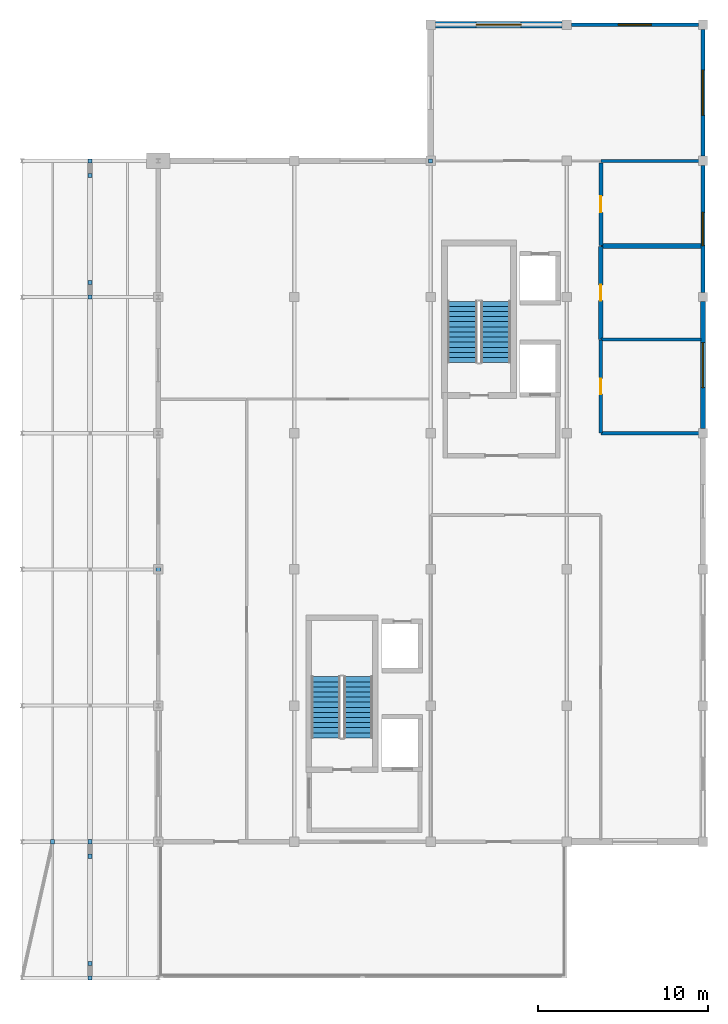
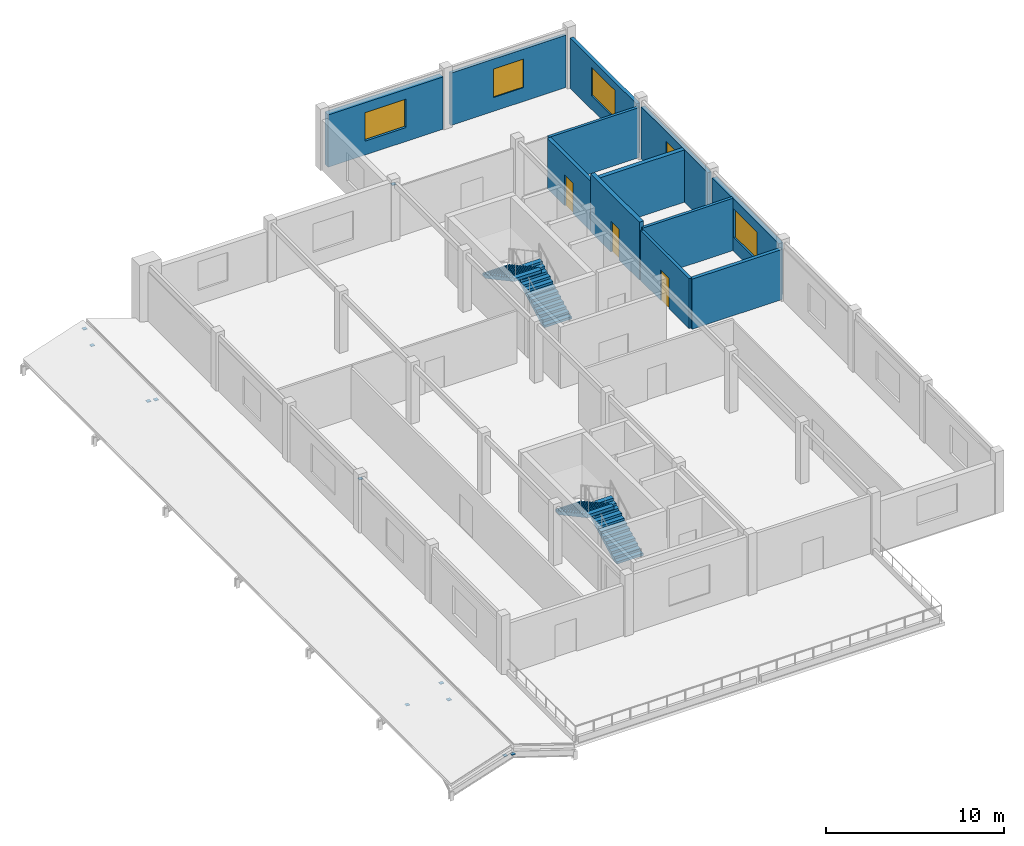
# One storey, part 6 of 9: 12 walls, 11 discrete accessories, 5 windows, 4 stair flights, 3 doors, 8 openings, 2 elements without a shape of their own.
"""IFC4 building model written with IfcOpenShell, lengths in metres."""

import ifcopenshell
import ifcopenshell.guid

model = None  # the IFC model being written
_history = None  # IfcOwnerHistory: only IFC2X3 demands one
_inside = {}  # id of a spatial element -> (the spatial element, [elements in it])
_under = {}  # id of a project, library or spatial element -> (it, [spatial elements below it])
_declared = {}  # id of a project -> (the project, [libraries it declares])
_typed = {}  # id of a type object -> (the type object, [elements of that type])
_made_of = {}  # id of a material, layer set ... -> (it, [elements and type objects made of it])


def new_model(schema):
    """Start an empty IFC model of exactly this schema.

    Asked for "IFC4X3", IfcOpenShell would pick the latest addendum, in which some entities
    have other attributes; the version numbers below select the first issue.
    IFC2X3 requires an IfcOwnerHistory on every rooted entity: one is made here for all.
    """
    global model, _history
    if schema == "IFC4X3":
        model = ifcopenshell.file(schema_version=(4, 3, 0, 0))
    else:
        model = ifcopenshell.file(schema=schema)
    _inside.clear()
    _under.clear()
    _declared.clear()
    _typed.clear()
    _made_of.clear()
    _history = None
    if model.schema == "IFC2X3":
        org = make("IfcOrganization", Name="unknown")
        user = make(
            "IfcPersonAndOrganization",
            ThePerson=make("IfcPerson", FamilyName="unknown"),
            TheOrganization=org,
        )
        app = make(
            "IfcApplication",
            ApplicationDeveloper=org,
            Version="unknown",
            ApplicationFullName="unknown",
            ApplicationIdentifier="unknown",
        )
        _history = make(
            "IfcOwnerHistory",
            OwningUser=user,
            OwningApplication=app,
            ChangeAction="ADDED",
            CreationDate=0,
        )
    return model


def make(cls, **values):
    """One entity of the class cls with the attributes given. An attribute that is None is left unset."""
    return model.create_entity(
        cls, **{name: value for name, value in values.items() if value is not None}
    )


def rooted(cls, **values):
    """An entity with a GlobalId (a new one), such as an element, a storey or a relation."""
    return make(cls, GlobalId=ifcopenshell.guid.new(), OwnerHistory=_history, **values)


def si_unit(unit_type, name, prefix=None):
    """IfcSIUnit, for example si_unit("LENGTHUNIT", "METRE", prefix="MILLI")."""
    return make("IfcSIUnit", UnitType=unit_type, Prefix=prefix, Name=name)


def assignment(units):
    """IfcUnitAssignment: the units of a project."""
    return None if units is None else make("IfcUnitAssignment", Units=units)


def point(xyz):
    """IfcCartesianPoint."""
    return None if xyz is None else make("IfcCartesianPoint", Coordinates=xyz)


def direction(xyz):
    """IfcDirection."""
    return None if xyz is None else make("IfcDirection", DirectionRatios=xyz)


def frame(location, z_axis=None, x_axis=None):
    """IfcAxis2Placement3D, a coordinate frame: its origin and axes. An axis left out is left unset."""
    return make(
        "IfcAxis2Placement3D",
        Location=point(location),
        Axis=direction(z_axis),
        RefDirection=direction(x_axis),
    )


def frame_2d(location, x_axis=None):
    """IfcAxis2Placement2D, a coordinate frame in the plane: its origin and x axis."""
    return make(
        "IfcAxis2Placement2D", Location=point(location), RefDirection=direction(x_axis)
    )


def origin():
    """The frame at (0, 0, 0) with its axes left unset."""
    return frame((0.0, 0.0, 0.0))


def origin_2d():
    """The frame at (0, 0) in the plane with its x axis left unset."""
    return frame_2d((0.0, 0.0))


def place(relative_to, where):
    """IfcLocalPlacement: puts the frame where relative to a parent placement (None: the world)."""
    return make(
        "IfcLocalPlacement", PlacementRelTo=relative_to, RelativePlacement=where
    )


def context(
    kind, dimensions, precision=None, world=None, true_north=None, identifier=None
):
    """IfcGeometricRepresentationContext, for example the 3D "Model" context."""
    return make(
        "IfcGeometricRepresentationContext",
        ContextIdentifier=identifier,
        ContextType=kind,
        CoordinateSpaceDimension=dimensions,
        Precision=precision,
        WorldCoordinateSystem=world,
        TrueNorth=true_north,
    )


def subcontext(parent, identifier, kind, view, scale=None):
    """IfcGeometricRepresentationSubContext, for example "Body" below "Model"."""
    return make(
        "IfcGeometricRepresentationSubContext",
        ContextIdentifier=identifier,
        ContextType=kind,
        ParentContext=parent,
        TargetScale=scale,
        TargetView=view,
    )


def project(units=None, contexts=None):
    """IfcProject with its units and contexts."""
    return rooted(
        "IfcProject",
        Name="project",
        RepresentationContexts=contexts,
        UnitsInContext=assignment(units),
    )


def spatial(cls, under=None, at=None, **own):
    """A site, building, storey or space (cls), placed at a placement, below another one or the project."""
    s = rooted(cls, ObjectPlacement=at, **own)
    if under is not None:
        _under.setdefault(under.id(), (under, []))[1].append(s)
    return s


def polyline(points):
    """IfcPolyline through the points."""
    return make("IfcPolyline", Points=[point(p) for p in points])


def profile(cls, at=None, kind="AREA", **sizes):
    """A parametric profile (cls). Its sizes go by their IFC names, for example OverallWidth=200.0."""
    return make(cls, ProfileType=kind, Position=at, **sizes)


def rectangle(**sizes):
    """IfcRectangleProfileDef."""
    return profile("IfcRectangleProfileDef", **sizes)


def outline(outer, holes=None, kind="AREA"):
    """IfcArbitraryClosedProfileDef: a profile drawn as a closed curve; with holes, ...WithVoids."""
    if holes is None:
        return make("IfcArbitraryClosedProfileDef", ProfileType=kind, OuterCurve=outer)
    return make(
        "IfcArbitraryProfileDefWithVoids",
        ProfileType=kind,
        OuterCurve=outer,
        InnerCurves=holes,
    )


def extrude(swept, where, along, depth):
    """IfcExtrudedAreaSolid: the profile swept, set in the frame where, extruded along a direction by depth."""
    return make(
        "IfcExtrudedAreaSolid",
        SweptArea=swept,
        Position=where,
        ExtrudedDirection=direction(along),
        Depth=depth,
    )


def shape(context_of_items, identifier, shape_type, items):
    """IfcShapeRepresentation: the items that make up one representation, for example the "Body"."""
    return make(
        "IfcShapeRepresentation",
        ContextOfItems=context_of_items,
        RepresentationIdentifier=identifier,
        RepresentationType=shape_type,
        Items=items,
    )


def material(Name=None, Category=None):
    """IfcMaterial."""
    return make("IfcMaterial", Name=Name, Category=Category)


def layer(
    of_material, thickness, ventilated=None, Name=None, Category=None, Priority=None
):
    """IfcMaterialLayer: one layer of a wall or slab, of a material (None: an air gap)."""
    return make(
        "IfcMaterialLayer",
        Material=of_material,
        LayerThickness=thickness,
        IsVentilated=ventilated,
        Name=Name,
        Category=Category,
        Priority=Priority,
    )


def layer_set(layers, Name=None):
    """IfcMaterialLayerSet."""
    return make("IfcMaterialLayerSet", MaterialLayers=layers, LayerSetName=Name)


def made_of(thing, what):
    """Note that an element or type object is made of a material, layer set ...; save() writes the relation."""
    if what is not None:
        _made_of.setdefault(what.id(), (what, []))[1].append(thing)
    return thing


def type_object(cls, material=None, **own):
    """A type object (cls), such as IfcWallType, which elements share."""
    return made_of(rooted(cls, **own), material)


def element(
    cls,
    number,
    at=None,
    inside=None,
    cuts=None,
    type_object=None,
    material=None,
    context=None,
    identifier="Body",
    shape_type=None,
    held_by="IfcProductDefinitionShape",
    body=None,
    shapes=None,
    **own,
):
    """One element of the class cls, such as IfcWall. Its Tag is "e" and its number.

    at: its placement. inside: the storey or other place that contains it. cuts: it is an
    opening in that element (IfcRelVoidsElement). A single representation is given by context,
    identifier, shape_type and body (its items); several are given by shapes. held_by: the class
    of the entity that holds the representations. save() writes the other relations.
    """
    e = rooted(cls, Tag="e%d" % number, ObjectPlacement=at, **own)
    if body is not None:
        shapes = [shape(context, identifier, shape_type, body)]
    if shapes is not None:
        e.Representation = make(held_by, Representations=shapes)
    if inside is not None:
        _inside.setdefault(inside.id(), (inside, []))[1].append(e)
    if cuts is not None:
        rooted(
            "IfcRelVoidsElement", RelatingBuildingElement=cuts, RelatedOpeningElement=e
        )
    if type_object is not None:
        _typed.setdefault(type_object.id(), (type_object, []))[1].append(e)
    return made_of(e, material)


def fill(opening, filler):
    """IfcRelFillsElement: the door or window that sits in an opening."""
    return rooted(
        "IfcRelFillsElement",
        RelatingOpeningElement=opening,
        RelatedBuildingElement=filler,
    )


def aggregate(whole, parts):
    """IfcRelAggregates: a whole, such as a stair, and the parts it consists of."""
    return rooted("IfcRelAggregates", RelatingObject=whole, RelatedObjects=parts)


def save(model, path):
    """Write the relations noted so far, then the file.

    IfcRelAggregates (storeys below a building ...), IfcRelContainedInSpatialStructure (elements
    in a storey), IfcRelDefinesByType, IfcRelAssociatesMaterial and IfcRelDeclares: one each for
    every whole, place, type object, material and project.
    """
    for whole, parts in _under.values():
        aggregate(whole, parts)
    for where, things in _inside.values():
        rooted(
            "IfcRelContainedInSpatialStructure",
            RelatedElements=things,
            RelatingStructure=where,
        )
    for kind, things in _typed.values():
        rooted("IfcRelDefinesByType", RelatedObjects=things, RelatingType=kind)
    for what, things in _made_of.values():
        rooted("IfcRelAssociatesMaterial", RelatedObjects=things, RelatingMaterial=what)
    for by, libraries in _declared.values():
        rooted("IfcRelDeclares", RelatingContext=by, RelatedDefinitions=libraries)
    model.write(path)


model = new_model("IFC4")

# Units and contexts
model_context = context("Model", 3, precision=1e-05, world=origin(), true_north=direction((0.0, 1.0)))
body_context = subcontext(model_context, "Body", "Model", "MODEL_VIEW")
ifc_project = project(units=[si_unit("LENGTHUNIT", "METRE"), si_unit("AREAUNIT", "SQUARE_METRE"), si_unit("VOLUMEUNIT", "CUBIC_METRE"), si_unit("PLANEANGLEUNIT", "RADIAN"), si_unit("MASSUNIT", "GRAM", prefix="KILO")], contexts=[model_context])

# Site, building, storey
site_placement = place(None, origin())
site = spatial("IfcSite", under=ifc_project, at=site_placement, CompositionType="ELEMENT")
building_placement = place(site_placement, origin())
building = spatial("IfcBuilding", under=site, at=building_placement, Name="Kenh Van Central Station", CompositionType="ELEMENT")
storey_placement = place(building_placement, frame((0.0, 0.0, 23.39990234375)))
storey = spatial("IfcBuildingStorey", under=building, at=storey_placement, Name="L05", CompositionType="ELEMENT", Elevation=23.39990234375)

# Wall, opening, window
ifc_material_1 = material(Name="Saigon buff sandstone and terracotta masonry", Category="masonry")
ifc_layer_1 = layer(ifc_material_1, 0.2900390625, Name="Saigon buff sandstone and terracotta masonry")
ifc_layer_set_1 = layer_set([ifc_layer_1], Name="Saigon buff sandstone and terracotta masonry")
wall_type_1 = type_object("IfcWallType", Name="WL-EXT-290", PredefinedType="STANDARD", material=ifc_layer_set_1)
wall_1_placement = place(storey_placement, frame((176.0, 48.27490234375, 0.0), z_axis=(0.0, 0.0, 1.0), x_axis=(0.0, 1.0, 0.0)))
wall_1 = element("IfcWall", 1, at=wall_1_placement, inside=storey, type_object=wall_type_1, Name="L05 exterior wall 164", PredefinedType="STANDARD", context=body_context, shape_type="SweptSolid", body=[
    extrude(rectangle(XDim=7.4501953125, YDim=0.2900390625, at=frame_2d((3.72509765625, 0.0))), origin(), (0.0, 0.0, 1.0), 3.580078125),
])
opening_1_placement = place(wall_1_placement, frame((2.39990234375, 0.0, 0.949951171875)))
opening_1 = element("IfcOpeningElement", 2, at=opening_1_placement, cuts=wall_1, Name="Opening WN-22", PredefinedType="OPENING", context=body_context, shape_type="SweptSolid", body=[
    extrude(rectangle(XDim=2.64990234375, YDim=1.949951171875, at=frame_2d((1.324951171875, 0.97509765625))), frame((0.0, 0.155029296875, 0.0), z_axis=(0.0, -1.0, 0.0), x_axis=(1.0, 0.0, 0.0)), (0.0, 0.0, 1.0), 0.31005859375),
])
ifc_material_2 = material(Name="Double-glazed low-E laminated solar glass", Category="glass")
window_type_1 = type_object("IfcWindowType", Name="WN-OP05-2650x1950", PartitioningType="DOUBLE_PANEL_VERTICAL", PredefinedType="WINDOW", material=ifc_material_2)
window_1_placement = place(opening_1_placement, origin())
window_1 = element("IfcWindow", 3, at=window_1_placement, inside=storey, type_object=window_type_1, Name="L05 window 128", OverallHeight=1.949951171875, OverallWidth=2.64990234375, PartitioningType="SINGLE_PANEL", PredefinedType="WINDOW", context=body_context, shape_type="SweptSolid", body=[
    extrude(rectangle(XDim=2.64990234375, YDim=1.949951171875, at=frame_2d((1.324951171875, 0.97509765625))), frame((0.0, 0.030029296875, 0.0), z_axis=(0.0, -1.0, 0.0), x_axis=(1.0, 0.0, 0.0)), (0.0, 0.0, 1.0), 0.06005859375),
])
fill(opening_1, window_1)

ifc_layer_2 = layer(ifc_material_1, 0.3798828125, Name="Saigon buff sandstone and terracotta masonry")
ifc_layer_set_2 = layer_set([ifc_layer_2], Name="Saigon buff sandstone and terracotta masonry")
wall_type_2 = type_object("IfcWallType", Name="WL-EXT-380", PredefinedType="STANDARD", material=ifc_layer_set_2)
wall_2_placement = place(storey_placement, frame((167.72509765625, 72.0, 0.0), z_axis=(0.0, 0.0, 1.0), x_axis=(-1.0, 0.0, 0.0)))
wall_2 = element("IfcWall", 4, at=wall_2_placement, inside=storey, type_object=wall_type_2, Name="L05 exterior wall 168", PredefinedType="STANDARD", context=body_context, shape_type="SweptSolid", body=[
    extrude(rectangle(XDim=7.4501953125, YDim=0.3798828125, at=frame_2d((3.72509765625, 0.0))), origin(), (0.0, 0.0, 1.0), 3.580078125),
])
opening_2_placement = place(wall_2_placement, frame((2.39990234375, 0.0, 0.949951171875)))
opening_2 = element("IfcOpeningElement", 5, at=opening_2_placement, cuts=wall_2, Name="Opening WN-22", PredefinedType="OPENING", context=body_context, shape_type="SweptSolid", body=[
    extrude(rectangle(XDim=2.64990234375, YDim=1.949951171875, at=frame_2d((1.324951171875, 0.97509765625))), frame((0.0, 0.199951171875, 0.0), z_axis=(0.0, -1.0, 0.0), x_axis=(1.0, 0.0, 0.0)), (0.0, 0.0, 1.0), 0.39990234375),
])
window_2_placement = place(opening_2_placement, origin())
window_2 = element("IfcWindow", 6, at=window_2_placement, inside=storey, type_object=window_type_1, Name="L05 window 132", OverallHeight=1.949951171875, OverallWidth=2.64990234375, PartitioningType="SINGLE_PANEL", PredefinedType="WINDOW", context=body_context, shape_type="SweptSolid", body=[
    extrude(rectangle(XDim=2.64990234375, YDim=1.949951171875, at=frame_2d((1.324951171875, 0.97509765625))), frame((0.0, 0.030029296875, 0.0), z_axis=(0.0, -1.0, 0.0), x_axis=(1.0, 0.0, 0.0)), (0.0, 0.0, 1.0), 0.06005859375),
])
fill(opening_2, window_2)

# Wall
ifc_material_3 = material(Name="Lightweight acoustic masonry blockwork", Category="masonry")
ifc_layer_3 = layer(ifc_material_3, 0.175048828125, Name="Lightweight acoustic masonry blockwork")
ifc_layer_set_3 = layer_set([ifc_layer_3], Name="Lightweight acoustic masonry blockwork")
wall_type_3 = type_object("IfcWallType", Name="WL-PART-175", PredefinedType="PARTITIONING", material=ifc_layer_set_3)
wall_3_placement = place(storey_placement, frame((170.02001953125, 64.0, 0.0), z_axis=(0.0, 0.0, 1.0), x_axis=(1.0, 0.0, 0.0)))
element("IfcWall", 7, at=wall_3_placement, inside=storey, type_object=wall_type_3, Name="L05 interior wall 0224", PredefinedType="PARTITIONING", context=body_context, shape_type="SweptSolid", body=[
    extrude(rectangle(XDim=5.85986328125, YDim=0.175048828125, at=frame_2d((2.929931640625, 0.0))), origin(), (0.0, 0.0, 1.0), 3.429443359375),
])

# Wall, opening, door
ifc_layer_4 = layer(ifc_material_3, 0.18505859375, Name="Lightweight acoustic masonry blockwork")
ifc_layer_set_4 = layer_set([ifc_layer_4], Name="Lightweight acoustic masonry blockwork")
wall_type_4 = type_object("IfcWallType", Name="WL-PLMB-185", PredefinedType="PLUMBINGWALL", material=ifc_layer_set_4)
wall_4_placement = place(storey_placement, frame((170.0, 48.02001953125, 0.0), z_axis=(0.0, 0.0, 1.0), x_axis=(0.0, 1.0, 0.0)))
wall_4 = element("IfcWall", 8, at=wall_4_placement, inside=storey, type_object=wall_type_4, Name="L05 interior wall 0218", PredefinedType="PLUMBINGWALL", context=body_context, shape_type="SweptSolid", body=[
    extrude(rectangle(XDim=5.4599609375, YDim=0.18505859375, at=frame_2d((2.72998046875, 0.0))), origin(), (0.0, 0.0, 1.0), 3.429443359375),
])
opening_3_placement = place(wall_4_placement, frame((2.27001953125, 0.0, 0.0)))
opening_3 = element("IfcOpeningElement", 9, at=opening_3_placement, cuts=wall_4, Name="Opening D-IN09", PredefinedType="OPENING", context=body_context, shape_type="SweptSolid", body=[
    extrude(rectangle(XDim=0.919921875, YDim=2.10009765625, at=frame_2d((0.4599609375, 1.050048828125))), frame((0.0, 0.1025390625, 0.0), z_axis=(0.0, -1.0, 0.0), x_axis=(1.0, 0.0, 0.0)), (0.0, 0.0, 1.0), 0.205078125),
])
ifc_material_4 = material(Name="Architectural hardwood timber", Category="wood")
door_type_1 = type_object("IfcDoorType", Name="DR-INT-920x2100", OperationType="NOTDEFINED", PredefinedType="DOOR", material=ifc_material_4)
door_1_placement = place(opening_3_placement, origin())
door_1 = element("IfcDoor", 10, at=door_1_placement, inside=storey, type_object=door_type_1, Name="L05 interior door 0122", OperationType="SINGLE_SWING_LEFT", OverallHeight=2.10009765625, OverallWidth=0.919921875, PredefinedType="DOOR", context=body_context, shape_type="SweptSolid", body=[
    extrude(rectangle(XDim=0.919921875, YDim=2.10009765625, at=frame_2d((0.4599609375, 1.050048828125))), frame((0.0, 0.02490234375, 0.0), z_axis=(0.0, -1.0, 0.0), x_axis=(1.0, 0.0, 0.0)), (0.0, 0.0, 1.0), 0.050048828125),
])
fill(opening_3, door_1)

# Walls
wall_5_placement = place(storey_placement, frame((170.02001953125, 53.5, 0.0), z_axis=(0.0, 0.0, 1.0), x_axis=(1.0, 0.0, 0.0)))
element("IfcWall", 11, at=wall_5_placement, inside=storey, type_object=wall_type_4, Name="L05 interior wall 0221", PredefinedType="PLUMBINGWALL", context=body_context, shape_type="SweptSolid", body=[
    extrude(rectangle(XDim=5.85986328125, YDim=0.18505859375, at=frame_2d((2.929931640625, 0.0))), origin(), (0.0, 0.0, 1.0), 3.580078125),
])
ifc_layer_5 = layer(ifc_material_3, 0.22998046875, Name="Lightweight acoustic masonry blockwork")
ifc_layer_set_5 = layer_set([ifc_layer_5], Name="Lightweight acoustic masonry blockwork")
wall_type_5 = type_object("IfcWallType", Name="WL-PLMB-230", PredefinedType="PLUMBINGWALL", material=ifc_layer_set_5)
wall_6_placement = place(storey_placement, frame((170.02001953125, 48.0, 0.0), z_axis=(0.0, 0.0, 1.0), x_axis=(1.0, 0.0, 0.0)))
element("IfcWall", 12, at=wall_6_placement, inside=storey, type_object=wall_type_5, Name="L05 interior wall 0217", PredefinedType="PLUMBINGWALL", context=body_context, shape_type="SweptSolid", body=[
    extrude(rectangle(XDim=5.85986328125, YDim=0.22998046875, at=frame_2d((2.929931640625, 0.0))), origin(), (0.0, 0.0, 1.0), 3.429443359375),
])

# Wall, opening, door
wall_7_placement = place(storey_placement, frame((170.0, 59.02001953125, 0.0), z_axis=(0.0, 0.0, 1.0), x_axis=(0.0, 1.0, 0.0)))
wall_7 = element("IfcWall", 13, at=wall_7_placement, inside=storey, type_object=wall_type_5, Name="L05 interior wall 0220", PredefinedType="PLUMBINGWALL", context=body_context, shape_type="SweptSolid", body=[
    extrude(rectangle(XDim=4.85986328125, YDim=0.22998046875, at=frame_2d((2.429931640625, 0.0))), origin(), (0.0, 0.0, 1.0), 3.429443359375),
])
opening_4_placement = place(wall_7_placement, frame((1.949951171875, 0.0, 0.0)))
opening_4 = element("IfcOpeningElement", 14, at=opening_4_placement, cuts=wall_7, Name="Opening D-IN08", PredefinedType="OPENING", context=body_context, shape_type="SweptSolid", body=[
    extrude(rectangle(XDim=0.9599609375, YDim=2.10009765625, at=frame_2d((0.47998046875, 1.050048828125))), frame((0.0, 0.125, 0.0), z_axis=(0.0, -1.0, 0.0), x_axis=(1.0, 0.0, 0.0)), (0.0, 0.0, 1.0), 0.25),
])
door_type_2 = type_object("IfcDoorType", Name="DR-INT-960x2100", OperationType="NOTDEFINED", PredefinedType="DOOR", material=ifc_material_4)
door_2_placement = place(opening_4_placement, origin())
door_2 = element("IfcDoor", 15, at=door_2_placement, inside=storey, type_object=door_type_2, Name="L05 interior door 0124", OperationType="SINGLE_SWING_LEFT", OverallHeight=2.10009765625, OverallWidth=0.9599609375, PredefinedType="DOOR", context=body_context, shape_type="SweptSolid", body=[
    extrude(rectangle(XDim=0.9599609375, YDim=2.10009765625, at=frame_2d((0.47998046875, 1.050048828125))), frame((0.0, 0.02490234375, 0.0), z_axis=(0.0, -1.0, 0.0), x_axis=(1.0, 0.0, 0.0)), (0.0, 0.0, 1.0), 0.050048828125),
])
fill(opening_4, door_2)

ifc_layer_6 = layer(ifc_material_3, 0.27001953125, Name="Lightweight acoustic masonry blockwork")
ifc_layer_set_6 = layer_set([ifc_layer_6], Name="Lightweight acoustic masonry blockwork")
wall_type_6 = type_object("IfcWallType", Name="WL-PLMB-270", PredefinedType="PLUMBINGWALL", material=ifc_layer_set_6)
wall_8_placement = place(storey_placement, frame((170.0, 53.52001953125, 0.0), z_axis=(0.0, 0.0, 1.0), x_axis=(0.0, 1.0, 0.0)))
wall_8 = element("IfcWall", 16, at=wall_8_placement, inside=storey, type_object=wall_type_6, Name="L05 interior wall 0219", PredefinedType="PLUMBINGWALL", context=body_context, shape_type="SweptSolid", body=[
    extrude(rectangle(XDim=5.4599609375, YDim=0.27001953125, at=frame_2d((2.72998046875, 0.0))), origin(), (0.0, 0.0, 1.0), 3.97021484375),
])
opening_5_placement = place(wall_8_placement, frame((2.27001953125, 0.0, 0.0)))
opening_5 = element("IfcOpeningElement", 17, at=opening_5_placement, cuts=wall_8, Name="Opening D-IN09", PredefinedType="OPENING", context=body_context, shape_type="SweptSolid", body=[
    extrude(rectangle(XDim=0.919921875, YDim=2.10009765625, at=frame_2d((0.4599609375, 1.050048828125))), frame((0.0, 0.14501953125, 0.0), z_axis=(0.0, -1.0, 0.0), x_axis=(1.0, 0.0, 0.0)), (0.0, 0.0, 1.0), 0.2900390625),
])
door_3_placement = place(opening_5_placement, origin())
door_3 = element("IfcDoor", 18, at=door_3_placement, inside=storey, type_object=door_type_1, Name="L05 interior door 0123", OperationType="SINGLE_SWING_RIGHT", OverallHeight=2.10009765625, OverallWidth=0.919921875, PredefinedType="DOOR", context=body_context, shape_type="SweptSolid", body=[
    extrude(rectangle(XDim=0.919921875, YDim=2.10009765625, at=frame_2d((0.4599609375, 1.050048828125))), frame((0.0, 0.02490234375, 0.0), z_axis=(0.0, -1.0, 0.0), x_axis=(1.0, 0.0, 0.0)), (0.0, 0.0, 1.0), 0.050048828125),
])
fill(opening_5, door_3)

# Wall
wall_9_placement = place(storey_placement, frame((170.02001953125, 59.0, 0.0), z_axis=(0.0, 0.0, 1.0), x_axis=(1.0, 0.0, 0.0)))
element("IfcWall", 19, at=wall_9_placement, inside=storey, type_object=wall_type_6, Name="L05 interior wall 0222", PredefinedType="PLUMBINGWALL", context=body_context, shape_type="SweptSolid", body=[
    extrude(rectangle(XDim=5.85986328125, YDim=0.27001953125, at=frame_2d((2.929931640625, 0.0))), origin(), (0.0, 0.0, 1.0), 3.580078125),
])

# Wall, opening, window
ifc_material_5 = material(Name="Glazed terracotta architectural masonry", Category="masonry")
ifc_layer_7 = layer(ifc_material_5, 0.195068359375, Name="Glazed terracotta architectural masonry")
ifc_layer_set_7 = layer_set([ifc_layer_7], Name="Glazed terracotta architectural masonry")
wall_type_7 = type_object("IfcWallType", Name="WL-SLD-195", PredefinedType="SOLIDWALL", material=ifc_layer_set_7)
wall_10_placement = place(storey_placement, frame((175.72509765625, 72.0, 0.0), z_axis=(0.0, 0.0, 1.0), x_axis=(-1.0, 0.0, 0.0)))
wall_10 = element("IfcWall", 20, at=wall_10_placement, inside=storey, type_object=wall_type_7, Name="L05 exterior wall 167", PredefinedType="SOLIDWALL", context=body_context, shape_type="SweptSolid", body=[
    extrude(rectangle(XDim=7.4501953125, YDim=0.195068359375, at=frame_2d((3.72509765625, 0.0))), origin(), (0.0, 0.0, 1.0), 3.580078125),
])
opening_6_placement = place(wall_10_placement, frame((2.75, 0.0, 0.949951171875)))
opening_6 = element("IfcOpeningElement", 21, at=opening_6_placement, cuts=wall_10, Name="Opening WN-23", PredefinedType="OPENING", context=body_context, shape_type="SweptSolid", body=[
    extrude(rectangle(XDim=1.949951171875, YDim=1.949951171875, at=frame_2d((0.97509765625, 0.97509765625))), frame((0.0, 0.107421875, 0.0), z_axis=(0.0, -1.0, 0.0), x_axis=(1.0, 0.0, 0.0)), (0.0, 0.0, 1.0), 0.215087890625),
])
window_type_2 = type_object("IfcWindowType", Name="WN-OP05-1950x1950", PartitioningType="DOUBLE_PANEL_VERTICAL", PredefinedType="WINDOW", material=ifc_material_2)
window_3_placement = place(opening_6_placement, origin())
window_3 = element("IfcWindow", 22, at=window_3_placement, inside=storey, type_object=window_type_2, Name="L05 window 131", OverallHeight=1.949951171875, OverallWidth=1.949951171875, PartitioningType="SINGLE_PANEL", PredefinedType="WINDOW", context=body_context, shape_type="SweptSolid", body=[
    extrude(rectangle(XDim=1.949951171875, YDim=1.949951171875, at=frame_2d((0.97509765625, 0.97509765625))), frame((0.0, 0.030029296875, 0.0), z_axis=(0.0, -1.0, 0.0), x_axis=(1.0, 0.0, 0.0)), (0.0, 0.0, 1.0), 0.06005859375),
])
fill(opening_6, window_3)

ifc_layer_8 = layer(ifc_material_5, 0.219970703125, Name="Glazed terracotta architectural masonry")
ifc_layer_set_8 = layer_set([ifc_layer_8], Name="Glazed terracotta architectural masonry")
wall_type_8 = type_object("IfcWallType", Name="WL-SLD-220", PredefinedType="SOLIDWALL", material=ifc_layer_set_8)
wall_11_placement = place(storey_placement, frame((176.0, 64.27490234375, 0.0), z_axis=(0.0, 0.0, 1.0), x_axis=(0.0, 1.0, 0.0)))
wall_11 = element("IfcWall", 23, at=wall_11_placement, inside=storey, type_object=wall_type_8, Name="L05 exterior wall 166", PredefinedType="SOLIDWALL", context=body_context, shape_type="SweptSolid", body=[
    extrude(rectangle(XDim=7.4501953125, YDim=0.219970703125, at=frame_2d((3.72509765625, 0.0))), origin(), (0.0, 0.0, 1.0), 3.44189453125),
])
opening_7_placement = place(wall_11_placement, frame((2.39990234375, 0.0, 0.949951171875)))
opening_7 = element("IfcOpeningElement", 24, at=opening_7_placement, cuts=wall_11, Name="Opening WN-22", PredefinedType="OPENING", context=body_context, shape_type="SweptSolid", body=[
    extrude(rectangle(XDim=2.64990234375, YDim=1.949951171875, at=frame_2d((1.324951171875, 0.97509765625))), frame((0.0, 0.119873046875, 0.0), z_axis=(0.0, -1.0, 0.0), x_axis=(1.0, 0.0, 0.0)), (0.0, 0.0, 1.0), 0.239990234375),
])
window_4_placement = place(opening_7_placement, origin())
window_4 = element("IfcWindow", 25, at=window_4_placement, inside=storey, type_object=window_type_1, Name="L05 window 130", OverallHeight=1.949951171875, OverallWidth=2.64990234375, PartitioningType="SINGLE_PANEL", PredefinedType="WINDOW", context=body_context, shape_type="SweptSolid", body=[
    extrude(rectangle(XDim=2.64990234375, YDim=1.949951171875, at=frame_2d((1.324951171875, 0.97509765625))), frame((0.0, 0.030029296875, 0.0), z_axis=(0.0, -1.0, 0.0), x_axis=(1.0, 0.0, 0.0)), (0.0, 0.0, 1.0), 0.06005859375),
])
fill(opening_7, window_4)

ifc_layer_9 = layer(ifc_material_5, 0.239990234375, Name="Glazed terracotta architectural masonry")
ifc_layer_set_9 = layer_set([ifc_layer_9], Name="Glazed terracotta architectural masonry")
wall_type_9 = type_object("IfcWallType", Name="WL-SLD-240", PredefinedType="SOLIDWALL", material=ifc_layer_set_9)
wall_12_placement = place(storey_placement, frame((176.0, 56.27490234375, 0.0), z_axis=(0.0, 0.0, 1.0), x_axis=(0.0, 1.0, 0.0)))
wall_12 = element("IfcWall", 26, at=wall_12_placement, inside=storey, type_object=wall_type_9, Name="L05 exterior wall 165", PredefinedType="SOLIDWALL", context=body_context, shape_type="SweptSolid", body=[
    extrude(rectangle(XDim=7.4501953125, YDim=0.239990234375, at=frame_2d((3.72509765625, 0.0))), origin(), (0.0, 0.0, 1.0), 3.580078125),
])
opening_8_placement = place(wall_12_placement, frame((2.75, 0.0, 0.949951171875)))
opening_8 = element("IfcOpeningElement", 27, at=opening_8_placement, cuts=wall_12, Name="Opening WN-23", PredefinedType="OPENING", context=body_context, shape_type="SweptSolid", body=[
    extrude(rectangle(XDim=1.949951171875, YDim=1.949951171875, at=frame_2d((0.97509765625, 0.97509765625))), frame((0.0, 0.1298828125, 0.0), z_axis=(0.0, -1.0, 0.0), x_axis=(1.0, 0.0, 0.0)), (0.0, 0.0, 1.0), 0.260009765625),
])
window_5_placement = place(opening_8_placement, origin())
window_5 = element("IfcWindow", 28, at=window_5_placement, inside=storey, type_object=window_type_2, Name="L05 window 129", OverallHeight=1.949951171875, OverallWidth=1.949951171875, PartitioningType="SINGLE_PANEL", PredefinedType="WINDOW", context=body_context, shape_type="SweptSolid", body=[
    extrude(rectangle(XDim=1.949951171875, YDim=1.949951171875, at=frame_2d((0.97509765625, 0.97509765625))), frame((0.0, 0.030029296875, 0.0), z_axis=(0.0, -1.0, 0.0), x_axis=(1.0, 0.0, 0.0)), (0.0, 0.0, 1.0), 0.06005859375),
])
fill(opening_8, window_5)

# Stair, stair flights
ifc_material_6 = material(Name="Concrete C35/45", Category="concrete")
stair_type_1 = type_object("IfcStairType", Name="STR-DLG-1700", PredefinedType="HALF_TURN_STAIR", material=ifc_material_6)
stair_1_placement = place(storey_placement, origin())
stair_1 = element("IfcStair", 29, at=stair_1_placement, inside=storey, type_object=stair_type_1, Name="L05 Operations South Firefighting Core", PredefinedType="HALF_TURN_STAIR")
ifc_layer_10 = layer(ifc_material_6, 0.179931640625, Name="Concrete C35/45")
ifc_layer_set_10 = layer_set([ifc_layer_10], Name="Concrete C35/45")
stair_flight_type_1 = type_object("IfcStairFlightType", Name="FLT-DLG-1700", PredefinedType="STRAIGHT", material=ifc_layer_set_10)
stair_flight_1_placement = place(storey_placement, frame((155.75, 30.10009765625, 0.0), z_axis=(0.0, 0.0, 1.0), x_axis=(0.0, 1.0, 0.0)))
stair_flight_1 = element("IfcStairFlight", 30, at=stair_flight_1_placement, type_object=stair_flight_type_1, Name="ST-09 flight 1", NumberOfRisers=13, NumberOfTreads=12, PredefinedType="STRAIGHT", RiserHeight=0.161538462, TreadLength=0.3, context=body_context, shape_type="SweptSolid", body=[
    extrude(outline(polyline([(0.0, 0.0), (0.0, 0.16162109375), (0.300048828125, 0.16162109375), (0.300048828125, 0.322998046875), (0.60009765625, 0.322998046875), (0.60009765625, 0.484619140625), (0.89990234375, 0.484619140625), (0.89990234375, 0.646240234375), (1.199951171875, 0.646240234375), (1.199951171875, 0.8076171875), (1.5, 0.8076171875), (1.5, 0.96923828125), (1.800048828125, 0.96923828125), (1.800048828125, 1.130859375), (2.10009765625, 1.130859375), (2.10009765625, 1.292236328125), (2.39990234375, 1.292236328125), (2.39990234375, 1.453857421875), (2.699951171875, 1.453857421875), (2.699951171875, 1.615478515625), (3.0, 1.615478515625), (3.0, 1.77685546875), (3.300048828125, 1.77685546875), (3.300048828125, 1.9384765625), (3.60009765625, 1.9384765625), (3.60009765625, 2.10009765625), (3.60009765625, 1.734130859375), (0.379638671875, 0.0), (0.0, 0.0)])), frame((0.0, 0.85009765625, 0.0), z_axis=(0.0, -1.0, 0.0), x_axis=(1.0, 0.0, 0.0)), (0.0, 0.0, 1.0), 1.699951171875),
])
stair_flight_2_placement = place(storey_placement, frame((153.85009765625, 33.699951171875, 2.10009765625), z_axis=(0.0, 0.0, 1.0), x_axis=(0.0, -1.0, 0.0)))
stair_flight_2 = element("IfcStairFlight", 31, at=stair_flight_2_placement, type_object=stair_flight_type_1, Name="ST-09 flight 2", NumberOfRisers=13, NumberOfTreads=12, PredefinedType="STRAIGHT", RiserHeight=0.161538462, TreadLength=0.3, context=body_context, shape_type="SweptSolid", body=[
    extrude(outline(polyline([(0.0, 0.0), (0.0, 0.16162109375), (0.300048828125, 0.16162109375), (0.300048828125, 0.322998046875), (0.60009765625, 0.322998046875), (0.60009765625, 0.484619140625), (0.89990234375, 0.484619140625), (0.89990234375, 0.646240234375), (1.199951171875, 0.646240234375), (1.199951171875, 0.8076171875), (1.5, 0.8076171875), (1.5, 0.96923828125), (1.800048828125, 0.96923828125), (1.800048828125, 1.130859375), (2.10009765625, 1.130859375), (2.10009765625, 1.292236328125), (2.39990234375, 1.292236328125), (2.39990234375, 1.453857421875), (2.699951171875, 1.453857421875), (2.699951171875, 1.615478515625), (3.0, 1.615478515625), (3.0, 1.77685546875), (3.300048828125, 1.77685546875), (3.300048828125, 1.9384765625), (3.60009765625, 1.9384765625), (3.60009765625, 2.10009765625), (3.60009765625, 1.734130859375), (0.379638671875, 0.0), (0.0, 0.0)])), frame((0.0, 0.85009765625, 0.0), z_axis=(0.0, -1.0, 0.0), x_axis=(1.0, 0.0, 0.0)), (0.0, 0.0, 1.0), 1.699951171875),
])
aggregate(stair_1, [stair_flight_1, stair_flight_2])

stair_type_2 = type_object("IfcStairType", Name="STR-DLG-1750", PredefinedType="HALF_TURN_STAIR", material=ifc_material_6)
stair_2_placement = place(storey_placement, origin())
stair_2 = element("IfcStair", 32, at=stair_2_placement, inside=storey, type_object=stair_type_2, Name="L05 Operations North Firefighting and Goods Core", PredefinedType="HALF_TURN_STAIR")
ifc_layer_11 = layer(ifc_material_6, 0.179931640625, Name="Concrete C35/45")
ifc_layer_set_11 = layer_set([ifc_layer_11], Name="Concrete C35/45")
stair_flight_type_2 = type_object("IfcStairFlightType", Name="FLT-DLG-1750", PredefinedType="STRAIGHT", material=ifc_layer_set_11)
stair_flight_3_placement = place(storey_placement, frame((163.824951171875, 52.14990234375, 0.0), z_axis=(0.0, 0.0, 1.0), x_axis=(0.0, 1.0, 0.0)))
stair_flight_3 = element("IfcStairFlight", 33, at=stair_flight_3_placement, type_object=stair_flight_type_2, Name="ST-10 flight 1", NumberOfRisers=13, NumberOfTreads=12, PredefinedType="STRAIGHT", RiserHeight=0.161538462, TreadLength=0.3, context=body_context, shape_type="SweptSolid", body=[
    extrude(outline(polyline([(0.0, 0.0), (0.0, 0.16162109375), (0.300048828125, 0.16162109375), (0.300048828125, 0.322998046875), (0.60009765625, 0.322998046875), (0.60009765625, 0.484619140625), (0.89990234375, 0.484619140625), (0.89990234375, 0.646240234375), (1.199951171875, 0.646240234375), (1.199951171875, 0.8076171875), (1.5, 0.8076171875), (1.5, 0.96923828125), (1.800048828125, 0.96923828125), (1.800048828125, 1.130859375), (2.10009765625, 1.130859375), (2.10009765625, 1.292236328125), (2.39990234375, 1.292236328125), (2.39990234375, 1.453857421875), (2.699951171875, 1.453857421875), (2.699951171875, 1.615478515625), (3.0, 1.615478515625), (3.0, 1.77685546875), (3.300048828125, 1.77685546875), (3.300048828125, 1.9384765625), (3.60009765625, 1.9384765625), (3.60009765625, 2.10009765625), (3.60009765625, 1.734130859375), (0.379638671875, 0.0), (0.0, 0.0)])), frame((0.0, 0.875, 0.0), z_axis=(0.0, -1.0, 0.0), x_axis=(1.0, 0.0, 0.0)), (0.0, 0.0, 1.0), 1.75),
])
stair_flight_4_placement = place(storey_placement, frame((161.875, 55.75, 2.10009765625), z_axis=(0.0, 0.0, 1.0), x_axis=(0.0, -1.0, 0.0)))
stair_flight_4 = element("IfcStairFlight", 34, at=stair_flight_4_placement, type_object=stair_flight_type_2, Name="ST-10 flight 2", NumberOfRisers=13, NumberOfTreads=12, PredefinedType="STRAIGHT", RiserHeight=0.161538462, TreadLength=0.3, context=body_context, shape_type="SweptSolid", body=[
    extrude(outline(polyline([(0.0, 0.0), (0.0, 0.16162109375), (0.300048828125, 0.16162109375), (0.300048828125, 0.322998046875), (0.60009765625, 0.322998046875), (0.60009765625, 0.484619140625), (0.89990234375, 0.484619140625), (0.89990234375, 0.646240234375), (1.199951171875, 0.646240234375), (1.199951171875, 0.8076171875), (1.5, 0.8076171875), (1.5, 0.96923828125), (1.800048828125, 0.96923828125), (1.800048828125, 1.130859375), (2.10009765625, 1.130859375), (2.10009765625, 1.292236328125), (2.39990234375, 1.292236328125), (2.39990234375, 1.453857421875), (2.699951171875, 1.453857421875), (2.699951171875, 1.615478515625), (3.0, 1.615478515625), (3.0, 1.77685546875), (3.300048828125, 1.77685546875), (3.300048828125, 1.9384765625), (3.60009765625, 1.9384765625), (3.60009765625, 2.10009765625), (3.60009765625, 1.734130859375), (0.379638671875, 0.0), (0.0, 0.0)])), frame((0.0, 0.875, 0.0), z_axis=(0.0, -1.0, 0.0), x_axis=(1.0, 0.0, 0.0)), (0.0, 0.0, 1.0), 1.75),
])
aggregate(stair_2, [stair_flight_3, stair_flight_4])

# Discrete accessories
ifc_material_7 = material(Name="Structural steel S355JR", Category="steel")
discrete_accessory_type = type_object("IfcDiscreteAccessoryType", Name="ACC-END-NODE", PredefinedType="BRACKET", material=ifc_material_7)
for number, where, z_axis, x_axis, name in (
    (35, (137.800048828125, 24.0, 0.0693359375), (0.0, 0.0, 1.0), (1.0, 0.0, 0.0), "L05 brace end connection node plate 0408"),
    (36, (140.0, 16.85009765625, 0.164306640625), (0.0, 0.0, 1.0), (1.0, 0.0, 0.0), "L05 brace end connection node plate 0409"),
    (37, (140.0, 63.14990234375, 0.164306640625), (0.0, 0.0, 1.0), (1.0, 0.0, 0.0), "L05 brace end connection node plate 0410"),
    (38, (140.0, 16.0, 0.784423828125), (0.0, 0.0, 1.0), (1.0, 0.0, 0.0), "L05 brace end connection node plate 0411"),
    (39, (140.0, 23.14990234375, 0.164306640625), (0.0, 0.0, 1.0), (1.0, 0.0, 0.0), "L05 brace end connection node plate 0412"),
    (40, (140.0, 24.0, 0.784423828125), (0.0, 0.0, 1.0), (1.0, 0.0, 0.0), "L05 brace end connection node plate 0413"),
    (41, (140.0, 56.85009765625, 0.164306640625), (0.0, 0.0, 1.0), (1.0, 0.0, 0.0), "L05 brace end connection node plate 0414"),
    (42, (140.0, 56.0, 0.784423828125), (0.0, 0.0, 1.0), (1.0, 0.0, 0.0), "L05 brace end connection node plate 0415"),
    (43, (140.0, 64.0, 0.784423828125), (0.0, 0.0, 1.0), (1.0, 0.0, 0.0), "L05 brace end connection node plate 0416"),
    (44, (144.0, 40.0, 3.672119140625), (0.0, 0.0, 1.0), (1.0, 0.0, 0.0), "L05 brace end connection node plate 0417"),
    (45, (160.0, 64.0, 3.684326171875), (0.0, 0.0, 1.0), (1.0, 0.0, 0.0), "L05 brace end connection node plate 0427"),
):
    element("IfcDiscreteAccessory", number, at=place(storey_placement, frame(where, z_axis=z_axis, x_axis=x_axis)), inside=storey, type_object=discrete_accessory_type, Name=name, PredefinedType="BRACKET", context=body_context, shape_type="SweptSolid", body=[
        extrude(rectangle(XDim=0.239990234375, YDim=0.239990234375, at=origin_2d()), origin(), (0.0, 0.0, 1.0), 0.02490234375),
    ])

save(model, "model.ifc")
